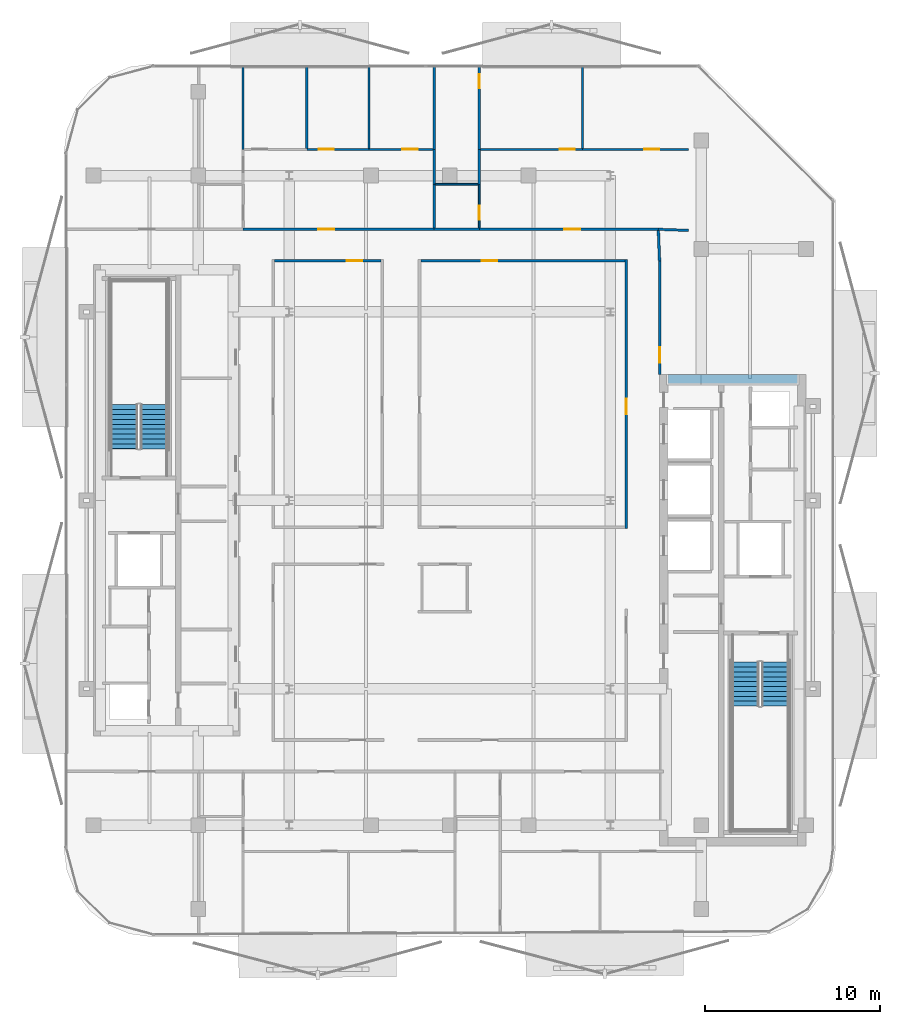
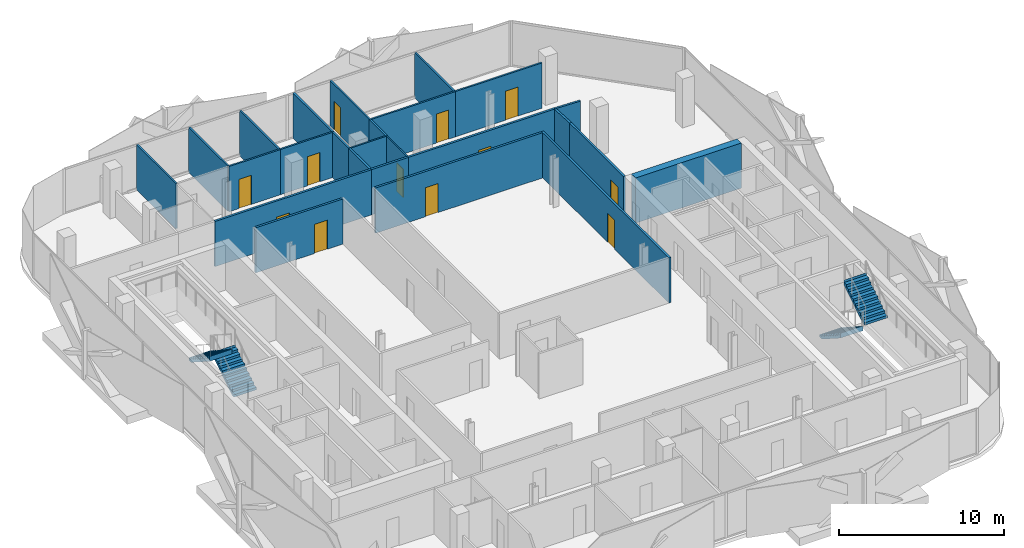
# One storey, part 6 of 16: 25 walls, 12 doors, 4 stair flights, 12 openings, 2 elements without a shape of their own.
"""IFC4 building model written with IfcOpenShell, lengths in metres."""

import ifcopenshell
import ifcopenshell.guid

model = None  # the IFC model being written
_history = None  # IfcOwnerHistory: only IFC2X3 demands one
_inside = {}  # id of a spatial element -> (the spatial element, [elements in it])
_under = {}  # id of a project, library or spatial element -> (it, [spatial elements below it])
_declared = {}  # id of a project -> (the project, [libraries it declares])
_typed = {}  # id of a type object -> (the type object, [elements of that type])
_made_of = {}  # id of a material, layer set ... -> (it, [elements and type objects made of it])


def new_model(schema):
    """Start an empty IFC model of exactly this schema.

    Asked for "IFC4X3", IfcOpenShell would pick the latest addendum, in which some entities
    have other attributes; the version numbers below select the first issue.
    IFC2X3 requires an IfcOwnerHistory on every rooted entity: one is made here for all.
    """
    global model, _history
    if schema == "IFC4X3":
        model = ifcopenshell.file(schema_version=(4, 3, 0, 0))
    else:
        model = ifcopenshell.file(schema=schema)
    _inside.clear()
    _under.clear()
    _declared.clear()
    _typed.clear()
    _made_of.clear()
    _history = None
    if model.schema == "IFC2X3":
        org = make("IfcOrganization", Name="unknown")
        user = make(
            "IfcPersonAndOrganization",
            ThePerson=make("IfcPerson", FamilyName="unknown"),
            TheOrganization=org,
        )
        app = make(
            "IfcApplication",
            ApplicationDeveloper=org,
            Version="unknown",
            ApplicationFullName="unknown",
            ApplicationIdentifier="unknown",
        )
        _history = make(
            "IfcOwnerHistory",
            OwningUser=user,
            OwningApplication=app,
            ChangeAction="ADDED",
            CreationDate=0,
        )
    return model


def make(cls, **values):
    """One entity of the class cls with the attributes given. An attribute that is None is left unset."""
    return model.create_entity(
        cls, **{name: value for name, value in values.items() if value is not None}
    )


def rooted(cls, **values):
    """An entity with a GlobalId (a new one), such as an element, a storey or a relation."""
    return make(cls, GlobalId=ifcopenshell.guid.new(), OwnerHistory=_history, **values)


def si_unit(unit_type, name, prefix=None):
    """IfcSIUnit, for example si_unit("LENGTHUNIT", "METRE", prefix="MILLI")."""
    return make("IfcSIUnit", UnitType=unit_type, Prefix=prefix, Name=name)


def assignment(units):
    """IfcUnitAssignment: the units of a project."""
    return None if units is None else make("IfcUnitAssignment", Units=units)


def point(xyz):
    """IfcCartesianPoint."""
    return None if xyz is None else make("IfcCartesianPoint", Coordinates=xyz)


def direction(xyz):
    """IfcDirection."""
    return None if xyz is None else make("IfcDirection", DirectionRatios=xyz)


def frame(location, z_axis=None, x_axis=None):
    """IfcAxis2Placement3D, a coordinate frame: its origin and axes. An axis left out is left unset."""
    return make(
        "IfcAxis2Placement3D",
        Location=point(location),
        Axis=direction(z_axis),
        RefDirection=direction(x_axis),
    )


def frame_2d(location, x_axis=None):
    """IfcAxis2Placement2D, a coordinate frame in the plane: its origin and x axis."""
    return make(
        "IfcAxis2Placement2D", Location=point(location), RefDirection=direction(x_axis)
    )


def origin():
    """The frame at (0, 0, 0) with its axes left unset."""
    return frame((0.0, 0.0, 0.0))


def place(relative_to, where):
    """IfcLocalPlacement: puts the frame where relative to a parent placement (None: the world)."""
    return make(
        "IfcLocalPlacement", PlacementRelTo=relative_to, RelativePlacement=where
    )


def context(
    kind, dimensions, precision=None, world=None, true_north=None, identifier=None
):
    """IfcGeometricRepresentationContext, for example the 3D "Model" context."""
    return make(
        "IfcGeometricRepresentationContext",
        ContextIdentifier=identifier,
        ContextType=kind,
        CoordinateSpaceDimension=dimensions,
        Precision=precision,
        WorldCoordinateSystem=world,
        TrueNorth=true_north,
    )


def subcontext(parent, identifier, kind, view, scale=None):
    """IfcGeometricRepresentationSubContext, for example "Body" below "Model"."""
    return make(
        "IfcGeometricRepresentationSubContext",
        ContextIdentifier=identifier,
        ContextType=kind,
        ParentContext=parent,
        TargetScale=scale,
        TargetView=view,
    )


def project(units=None, contexts=None):
    """IfcProject with its units and contexts."""
    return rooted(
        "IfcProject",
        Name="project",
        RepresentationContexts=contexts,
        UnitsInContext=assignment(units),
    )


def spatial(cls, under=None, at=None, **own):
    """A site, building, storey or space (cls), placed at a placement, below another one or the project."""
    s = rooted(cls, ObjectPlacement=at, **own)
    if under is not None:
        _under.setdefault(under.id(), (under, []))[1].append(s)
    return s


def polyline(points):
    """IfcPolyline through the points."""
    return make("IfcPolyline", Points=[point(p) for p in points])


def profile(cls, at=None, kind="AREA", **sizes):
    """A parametric profile (cls). Its sizes go by their IFC names, for example OverallWidth=200.0."""
    return make(cls, ProfileType=kind, Position=at, **sizes)


def rectangle(**sizes):
    """IfcRectangleProfileDef."""
    return profile("IfcRectangleProfileDef", **sizes)


def outline(outer, holes=None, kind="AREA"):
    """IfcArbitraryClosedProfileDef: a profile drawn as a closed curve; with holes, ...WithVoids."""
    if holes is None:
        return make("IfcArbitraryClosedProfileDef", ProfileType=kind, OuterCurve=outer)
    return make(
        "IfcArbitraryProfileDefWithVoids",
        ProfileType=kind,
        OuterCurve=outer,
        InnerCurves=holes,
    )


def extrude(swept, where, along, depth):
    """IfcExtrudedAreaSolid: the profile swept, set in the frame where, extruded along a direction by depth."""
    return make(
        "IfcExtrudedAreaSolid",
        SweptArea=swept,
        Position=where,
        ExtrudedDirection=direction(along),
        Depth=depth,
    )


def shape(context_of_items, identifier, shape_type, items):
    """IfcShapeRepresentation: the items that make up one representation, for example the "Body"."""
    return make(
        "IfcShapeRepresentation",
        ContextOfItems=context_of_items,
        RepresentationIdentifier=identifier,
        RepresentationType=shape_type,
        Items=items,
    )


def material(Name=None, Category=None):
    """IfcMaterial."""
    return make("IfcMaterial", Name=Name, Category=Category)


def layer(
    of_material, thickness, ventilated=None, Name=None, Category=None, Priority=None
):
    """IfcMaterialLayer: one layer of a wall or slab, of a material (None: an air gap)."""
    return make(
        "IfcMaterialLayer",
        Material=of_material,
        LayerThickness=thickness,
        IsVentilated=ventilated,
        Name=Name,
        Category=Category,
        Priority=Priority,
    )


def layer_set(layers, Name=None):
    """IfcMaterialLayerSet."""
    return make("IfcMaterialLayerSet", MaterialLayers=layers, LayerSetName=Name)


def made_of(thing, what):
    """Note that an element or type object is made of a material, layer set ...; save() writes the relation."""
    if what is not None:
        _made_of.setdefault(what.id(), (what, []))[1].append(thing)
    return thing


def type_object(cls, material=None, **own):
    """A type object (cls), such as IfcWallType, which elements share."""
    return made_of(rooted(cls, **own), material)


def element(
    cls,
    number,
    at=None,
    inside=None,
    cuts=None,
    type_object=None,
    material=None,
    context=None,
    identifier="Body",
    shape_type=None,
    held_by="IfcProductDefinitionShape",
    body=None,
    shapes=None,
    **own,
):
    """One element of the class cls, such as IfcWall. Its Tag is "e" and its number.

    at: its placement. inside: the storey or other place that contains it. cuts: it is an
    opening in that element (IfcRelVoidsElement). A single representation is given by context,
    identifier, shape_type and body (its items); several are given by shapes. held_by: the class
    of the entity that holds the representations. save() writes the other relations.
    """
    e = rooted(cls, Tag="e%d" % number, ObjectPlacement=at, **own)
    if body is not None:
        shapes = [shape(context, identifier, shape_type, body)]
    if shapes is not None:
        e.Representation = make(held_by, Representations=shapes)
    if inside is not None:
        _inside.setdefault(inside.id(), (inside, []))[1].append(e)
    if cuts is not None:
        rooted(
            "IfcRelVoidsElement", RelatingBuildingElement=cuts, RelatedOpeningElement=e
        )
    if type_object is not None:
        _typed.setdefault(type_object.id(), (type_object, []))[1].append(e)
    return made_of(e, material)


def fill(opening, filler):
    """IfcRelFillsElement: the door or window that sits in an opening."""
    return rooted(
        "IfcRelFillsElement",
        RelatingOpeningElement=opening,
        RelatedBuildingElement=filler,
    )


def aggregate(whole, parts):
    """IfcRelAggregates: a whole, such as a stair, and the parts it consists of."""
    return rooted("IfcRelAggregates", RelatingObject=whole, RelatedObjects=parts)


def save(model, path):
    """Write the relations noted so far, then the file.

    IfcRelAggregates (storeys below a building ...), IfcRelContainedInSpatialStructure (elements
    in a storey), IfcRelDefinesByType, IfcRelAssociatesMaterial and IfcRelDeclares: one each for
    every whole, place, type object, material and project.
    """
    for whole, parts in _under.values():
        aggregate(whole, parts)
    for where, things in _inside.values():
        rooted(
            "IfcRelContainedInSpatialStructure",
            RelatedElements=things,
            RelatingStructure=where,
        )
    for kind, things in _typed.values():
        rooted("IfcRelDefinesByType", RelatedObjects=things, RelatingType=kind)
    for what, things in _made_of.values():
        rooted("IfcRelAssociatesMaterial", RelatedObjects=things, RelatingMaterial=what)
    for by, libraries in _declared.values():
        rooted("IfcRelDeclares", RelatingContext=by, RelatedDefinitions=libraries)
    model.write(path)


model = new_model("IFC4")

# Units and contexts
model_context = context("Model", 3, precision=1e-05, world=origin(), true_north=direction((0.0, 1.0)))
body_context = subcontext(model_context, "Body", "Model", "MODEL_VIEW")
ifc_project = project(units=[si_unit("LENGTHUNIT", "METRE"), si_unit("AREAUNIT", "SQUARE_METRE"), si_unit("VOLUMEUNIT", "CUBIC_METRE"), si_unit("PLANEANGLEUNIT", "RADIAN"), si_unit("MASSUNIT", "GRAM", prefix="KILO")], contexts=[model_context])

# Site, building, storey
site_placement = place(None, origin())
site = spatial("IfcSite", under=ifc_project, at=site_placement, CompositionType="ELEMENT")
building_placement = place(site_placement, origin())
building = spatial("IfcBuilding", under=site, at=building_placement, Name="Khairoan Windgate Tower", CompositionType="ELEMENT")
storey_placement = place(building_placement, frame((0.0, 0.0, 258.39990234375)))
storey = spatial("IfcBuildingStorey", under=building, at=storey_placement, Name="L61", CompositionType="ELEMENT", Elevation=258.39990234375)

# Wall
ifc_material_1 = material(Name="Moisture-Resistant Gypsum Partition", Category="gypsum")
ifc_layer_1 = layer(ifc_material_1, 0.10009765625, Name="Moisture-Resistant Gypsum Partition")
ifc_layer_set_1 = layer_set([ifc_layer_1], Name="Moisture-Resistant Gypsum Partition")
wall_type_1 = type_object("IfcWallType", Name="Bathroom Wet-Area Partition Wall", PredefinedType="PARTITIONING", material=ifc_layer_set_1)
wall_1_placement = place(storey_placement, frame((-0.830078125, 18.10009765625, 0.0), z_axis=(0.0, 0.0, 1.0), x_axis=(1.0, 0.0, 0.0)))
element("IfcWall", 1, at=wall_1_placement, inside=storey, type_object=wall_type_1, Name="L61 Interior Partition 053", PredefinedType="PARTITIONING", context=body_context, shape_type="SweptSolid", body=[
    extrude(rectangle(XDim=2.469970703125, YDim=0.10009765625, at=frame_2d((1.23486328125, 0.0))), origin(), (0.0, 0.0, 1.0), 3.340087890625),
])

# Wall, opening, door
wall_2_placement = place(storey_placement, frame((1.68994140625, 15.60009765625, 0.0), z_axis=(0.0, 0.0, 1.0), x_axis=(0.0, 1.0, 0.0)))
wall_2 = element("IfcWall", 2, at=wall_2_placement, inside=storey, type_object=wall_type_1, Name="L61 Interior Partition 054", PredefinedType="PARTITIONING", context=body_context, shape_type="SweptSolid", body=[
    extrude(rectangle(XDim=2.5, YDim=0.10009765625, at=frame_2d((1.25, 0.0))), origin(), (0.0, 0.0, 1.0), 3.340087890625),
])
opening_1_placement = place(wall_2_placement, frame((0.4599609375, 0.0, 0.0)))
opening_1 = element("IfcOpeningElement", 3, at=opening_1_placement, cuts=wall_2, Name="Opening ID-BTH", PredefinedType="OPENING", context=body_context, shape_type="SweptSolid", body=[
    extrude(rectangle(XDim=0.800048828125, YDim=2.10009765625, at=frame_2d((0.39990234375, 1.050048828125))), frame((0.0, 0.06005859375, 0.0), z_axis=(0.0, -1.0, 0.0), x_axis=(1.0, 0.0, 0.0)), (0.0, 0.0, 1.0), 0.1201171875),
])
ifc_material_2 = material(Name="Teak Veneer Timber Leaf", Category="wood")
door_type_1 = type_object("IfcDoorType", Name="Internal Bathroom Door ID-BTH 800x2100", OperationType="NOTDEFINED", PredefinedType="DOOR", material=ifc_material_2)
door_1_placement = place(opening_1_placement, origin())
door_1 = element("IfcDoor", 4, at=door_1_placement, inside=storey, type_object=door_type_1, Name="L61 L61-39-L61-41 Door", OperationType="SINGLE_SWING_LEFT", OverallHeight=2.10009765625, OverallWidth=0.800048828125, PredefinedType="DOOR", context=body_context, shape_type="SweptSolid", body=[
    extrude(rectangle(XDim=0.800048828125, YDim=2.10009765625, at=frame_2d((0.39990234375, 1.050048828125))), frame((0.0, 0.02490234375, 0.0), z_axis=(0.0, -1.0, 0.0), x_axis=(1.0, 0.0, 0.0)), (0.0, 0.0, 1.0), 0.050048828125),
])
fill(opening_1, door_1)

# Walls
ifc_material_3 = material(Name="Acoustic Fire-Rated Gypsum Partition", Category="gypsum")
ifc_layer_2 = layer(ifc_material_3, 0.139892578125, Name="Acoustic Fire-Rated Gypsum Partition")
ifc_layer_set_2 = layer_set([ifc_layer_2], Name="Acoustic Fire-Rated Gypsum Partition")
wall_type_2 = type_object("IfcWallType", Name="Inter-Tenancy Compartment Wall", PredefinedType="PARTITIONING", material=ifc_layer_set_2)
wall_3_placement = place(storey_placement, frame((-0.89990234375, 15.60009765625, 0.0), z_axis=(0.0, 0.0, 1.0), x_axis=(0.0, 1.0, 0.0)))
element("IfcWall", 5, at=wall_3_placement, inside=storey, type_object=wall_type_2, Name="L61 Interior Partition 048", PredefinedType="PARTITIONING", context=body_context, shape_type="SweptSolid", body=[
    extrude(rectangle(XDim=2.5, YDim=0.139892578125, at=frame_2d((1.25, 0.0))), origin(), (0.0, 0.0, 1.0), 3.340087890625),
])
wall_4_placement = place(storey_placement, frame((-0.89990234375, 18.10009765625, 0.0), z_axis=(0.0, 0.0, 1.0), x_axis=(0.0, 1.0, 0.0)))
element("IfcWall", 6, at=wall_4_placement, inside=storey, type_object=wall_type_2, Name="L61 Interior Partition 049", PredefinedType="PARTITIONING", context=body_context, shape_type="SweptSolid", body=[
    extrude(rectangle(XDim=2.0, YDim=0.139892578125, at=frame_2d((1.0, 0.0))), origin(), (0.0, 0.0, 1.0), 3.340087890625),
])
wall_5_placement = place(storey_placement, frame((-0.89990234375, 20.10009765625, 0.0), z_axis=(0.0, 0.0, 1.0), x_axis=(0.0, 1.0, 0.0)))
element("IfcWall", 7, at=wall_5_placement, inside=storey, type_object=wall_type_2, Name="L61 Interior Partition 052", PredefinedType="PARTITIONING", context=body_context, shape_type="SweptSolid", body=[
    extrude(rectangle(XDim=4.7548828125, YDim=0.139892578125, at=frame_2d((2.37744140625, 0.0))), origin(), (0.0, 0.0, 1.0), 3.340087890625),
])
wall_6_placement = place(storey_placement, frame((11.93994140625, 15.52490234375, 0.0), z_axis=(0.0, 0.0, 1.0), x_axis=(0.999304229002, -0.037296888581, 0.0)))
element("IfcWall", 8, at=wall_6_placement, inside=storey, type_object=wall_type_2, Name="L61 Interior Partition 059", PredefinedType="PARTITIONING", context=body_context, shape_type="SweptSolid", body=[
    extrude(rectangle(XDim=1.7412109375, YDim=0.139892578125, at=frame_2d((0.87060546875, 0.0))), origin(), (0.0, 0.0, 1.0), 3.340087890625),
])
ifc_material_4 = material(Name="Gypsum Stud Partition", Category="gypsum")
ifc_layer_3 = layer(ifc_material_4, 0.1201171875, Name="Gypsum Stud Partition")
ifc_layer_set_3 = layer_set([ifc_layer_3], Name="Gypsum Stud Partition")
wall_type_3 = type_object("IfcWallType", Name="Internal Room Partition Wall", PredefinedType="PARTITIONING", material=ifc_layer_set_3)
wall_7_placement = place(storey_placement, frame((-11.830078125, 20.10009765625, 0.0), z_axis=(0.0, 0.0, 1.0), x_axis=(0.0, 1.0, 0.0)))
element("IfcWall", 9, at=wall_7_placement, inside=storey, type_object=wall_type_3, Name="L61 Interior Partition 043", PredefinedType="PARTITIONING", context=body_context, shape_type="SweptSolid", body=[
    extrude(rectangle(XDim=4.7548828125, YDim=0.1201171875, at=frame_2d((2.37744140625, 0.0))), origin(), (0.0, 0.0, 1.0), 3.340087890625),
])

# Wall, opening, door
wall_8_placement = place(storey_placement, frame((-8.18701171875, 20.10009765625, 0.0), z_axis=(0.0, 0.0, 1.0), x_axis=(1.0, 0.0, 0.0)))
wall_8 = element("IfcWall", 10, at=wall_8_placement, inside=storey, type_object=wall_type_3, Name="L61 Interior Partition 046", PredefinedType="PARTITIONING", context=body_context, shape_type="SweptSolid", body=[
    extrude(rectangle(XDim=3.56396484375, YDim=0.1201171875, at=frame_2d((1.781982421875, 0.0))), origin(), (0.0, 0.0, 1.0), 3.340087890625),
])
opening_2_placement = place(wall_8_placement, frame((0.68310546875, 0.0, 0.0)))
opening_2 = element("IfcOpeningElement", 11, at=opening_2_placement, cuts=wall_8, Name="Opening ID-RM", PredefinedType="OPENING", context=body_context, shape_type="SweptSolid", body=[
    extrude(rectangle(XDim=0.860107421875, YDim=2.14990234375, at=frame_2d((0.43017578125, 1.074951171875))), frame((0.0, 0.070068359375, 0.0), z_axis=(0.0, -1.0, 0.0), x_axis=(1.0, 0.0, 0.0)), (0.0, 0.0, 1.0), 0.14013671875),
])
ifc_material_5 = material(Name="Teak Veneer Timber Leaf", Category="wood")
door_type_2 = type_object("IfcDoorType", Name="Internal Bedroom and Office Door ID-RM 860x2150", OperationType="NOTDEFINED", PredefinedType="DOOR", material=ifc_material_5)
door_2_placement = place(opening_2_placement, origin())
door_2 = element("IfcDoor", 12, at=door_2_placement, inside=storey, type_object=door_type_2, Name="L61 L61-35-L61-37 Door", OperationType="SINGLE_SWING_LEFT", OverallHeight=2.14990234375, OverallWidth=0.860107421875, PredefinedType="DOOR", context=body_context, shape_type="SweptSolid", body=[
    extrude(rectangle(XDim=0.860107421875, YDim=2.14990234375, at=frame_2d((0.43017578125, 1.074951171875))), frame((0.0, 0.02490234375, 0.0), z_axis=(0.0, -1.0, 0.0), x_axis=(1.0, 0.0, 0.0)), (0.0, 0.0, 1.0), 0.050048828125),
])
fill(opening_2, door_2)

wall_9_placement = place(storey_placement, frame((-4.623046875, 20.10009765625, 0.0), z_axis=(0.0, 0.0, 1.0), x_axis=(1.0, 0.0, 0.0)))
wall_9 = element("IfcWall", 13, at=wall_9_placement, inside=storey, type_object=wall_type_3, Name="L61 Interior Partition 047", PredefinedType="PARTITIONING", context=body_context, shape_type="SweptSolid", body=[
    extrude(rectangle(XDim=3.653076171875, YDim=0.1201171875, at=frame_2d((1.82666015625, 0.0))), origin(), (0.0, 0.0, 1.0), 3.340087890625),
])
opening_3_placement = place(wall_9_placement, frame((1.916748046875, 0.0, 0.0)))
opening_3 = element("IfcOpeningElement", 14, at=opening_3_placement, cuts=wall_9, Name="Opening ID-RM", PredefinedType="OPENING", context=body_context, shape_type="SweptSolid", body=[
    extrude(rectangle(XDim=0.860107421875, YDim=2.14990234375, at=frame_2d((0.43017578125, 1.074951171875))), frame((0.0, 0.070068359375, 0.0), z_axis=(0.0, -1.0, 0.0), x_axis=(1.0, 0.0, 0.0)), (0.0, 0.0, 1.0), 0.14013671875),
])
door_3_placement = place(opening_3_placement, origin())
door_3 = element("IfcDoor", 15, at=door_3_placement, inside=storey, type_object=door_type_2, Name="L61 L61-35-L61-38 Door", OperationType="SINGLE_SWING_RIGHT", OverallHeight=2.14990234375, OverallWidth=0.860107421875, PredefinedType="DOOR", context=body_context, shape_type="SweptSolid", body=[
    extrude(rectangle(XDim=0.860107421875, YDim=2.14990234375, at=frame_2d((0.43017578125, 1.074951171875))), frame((0.0, 0.02490234375, 0.0), z_axis=(0.0, -1.0, 0.0), x_axis=(1.0, 0.0, 0.0)), (0.0, 0.0, 1.0), 0.050048828125),
])
fill(opening_3, door_3)

# Walls
for number, where, z_axis, x_axis, name in (
    (16, (-8.18701171875, 20.159912109375, 0.0), (0.0, 0.0, 1.0), (0.0, 1.0, 0.0), "L61 Interior Partition 050"),
    (17, (-4.623046875, 20.159912109375, 0.0), (0.0, 0.0, 1.0), (0.0, 1.0, 0.0), "L61 Interior Partition 051"),
):
    element("IfcWall", number, at=place(storey_placement, frame(where, z_axis=z_axis, x_axis=x_axis)), inside=storey, type_object=wall_type_3, Name=name, PredefinedType="PARTITIONING", context=body_context, shape_type="SweptSolid", body=[
        extrude(rectangle(XDim=4.695068359375, YDim=0.1201171875, at=frame_2d((2.34765625, 0.0))), origin(), (0.0, 0.0, 1.0), 3.340087890625),
    ])
wall_10_placement = place(storey_placement, frame((1.68994140625, 18.10009765625, 0.0), z_axis=(0.0, 0.0, 1.0), x_axis=(0.0, 1.0, 0.0)))
element("IfcWall", 18, at=wall_10_placement, inside=storey, type_object=wall_type_3, Name="L61 Interior Partition 055", PredefinedType="PARTITIONING", context=body_context, shape_type="SweptSolid", body=[
    extrude(rectangle(XDim=2.0, YDim=0.1201171875, at=frame_2d((1.0, 0.0))), origin(), (0.0, 0.0, 1.0), 3.340087890625),
])

# Wall, opening, door
wall_11_placement = place(storey_placement, frame((1.68994140625, 20.10009765625, 0.0), z_axis=(0.0, 0.0, 1.0), x_axis=(0.0, 1.0, 0.0)))
wall_11 = element("IfcWall", 19, at=wall_11_placement, inside=storey, type_object=wall_type_3, Name="L61 Interior Partition 056", PredefinedType="PARTITIONING", context=body_context, shape_type="SweptSolid", body=[
    extrude(rectangle(XDim=4.7548828125, YDim=0.1201171875, at=frame_2d((2.37744140625, 0.0))), origin(), (0.0, 0.0, 1.0), 3.340087890625),
])
opening_4_placement = place(wall_11_placement, frame((3.4951171875, 0.0, 0.0)))
opening_4 = element("IfcOpeningElement", 20, at=opening_4_placement, cuts=wall_11, Name="Opening ID-BTH", PredefinedType="OPENING", context=body_context, shape_type="SweptSolid", body=[
    extrude(rectangle(XDim=0.800048828125, YDim=2.10009765625, at=frame_2d((0.39990234375, 1.050048828125))), frame((0.0, 0.070068359375, 0.0), z_axis=(0.0, -1.0, 0.0), x_axis=(1.0, 0.0, 0.0)), (0.0, 0.0, 1.0), 0.14013671875),
])
door_4_placement = place(opening_4_placement, origin())
door_4 = element("IfcDoor", 21, at=door_4_placement, inside=storey, type_object=door_type_1, Name="L61 L61-40-L61-42 Door", OperationType="SINGLE_SWING_LEFT", OverallHeight=2.10009765625, OverallWidth=0.800048828125, PredefinedType="DOOR", context=body_context, shape_type="SweptSolid", body=[
    extrude(rectangle(XDim=0.800048828125, YDim=2.10009765625, at=frame_2d((0.39990234375, 1.050048828125))), frame((0.0, 0.02490234375, 0.0), z_axis=(0.0, -1.0, 0.0), x_axis=(1.0, 0.0, 0.0)), (0.0, 0.0, 1.0), 0.050048828125),
])
fill(opening_4, door_4)

wall_12_placement = place(storey_placement, frame((1.75, 20.10009765625, 0.0), z_axis=(0.0, 0.0, 1.0), x_axis=(1.0, 0.0, 0.0)))
wall_12 = element("IfcWall", 22, at=wall_12_placement, inside=storey, type_object=wall_type_3, Name="L61 Interior Partition 057", PredefinedType="PARTITIONING", context=body_context, shape_type="SweptSolid", body=[
    extrude(rectangle(XDim=5.85498046875, YDim=0.1201171875, at=frame_2d((2.927490234375, 0.0))), origin(), (0.0, 0.0, 1.0), 3.340087890625),
])
opening_5_placement = place(wall_12_placement, frame((4.534912109375, 0.0, 0.0)))
opening_5 = element("IfcOpeningElement", 23, at=opening_5_placement, cuts=wall_12, Name="Opening ID-RM", PredefinedType="OPENING", context=body_context, shape_type="SweptSolid", body=[
    extrude(rectangle(XDim=0.860107421875, YDim=2.14990234375, at=frame_2d((0.43017578125, 1.074951171875))), frame((0.0, 0.070068359375, 0.0), z_axis=(0.0, -1.0, 0.0), x_axis=(1.0, 0.0, 0.0)), (0.0, 0.0, 1.0), 0.14013671875),
])
door_5_placement = place(opening_5_placement, origin())
door_5 = element("IfcDoor", 24, at=door_5_placement, inside=storey, type_object=door_type_2, Name="L61 L61-41-L61-42 Door", OperationType="SINGLE_SWING_LEFT", OverallHeight=2.14990234375, OverallWidth=0.860107421875, PredefinedType="DOOR", context=body_context, shape_type="SweptSolid", body=[
    extrude(rectangle(XDim=0.860107421875, YDim=2.14990234375, at=frame_2d((0.43017578125, 1.074951171875))), frame((0.0, 0.02490234375, 0.0), z_axis=(0.0, -1.0, 0.0), x_axis=(1.0, 0.0, 0.0)), (0.0, 0.0, 1.0), 0.050048828125),
])
fill(opening_5, door_5)

wall_13_placement = place(storey_placement, frame((7.60498046875, 20.10009765625, 0.0), z_axis=(0.0, 0.0, 1.0), x_axis=(1.0, 0.0, 0.0)))
wall_13 = element("IfcWall", 25, at=wall_13_placement, inside=storey, type_object=wall_type_3, Name="L61 Interior Partition 058", PredefinedType="PARTITIONING", context=body_context, shape_type="SweptSolid", body=[
    extrude(rectangle(XDim=6.074951171875, YDim=0.1201171875, at=frame_2d((3.03759765625, 0.0))), origin(), (0.0, 0.0, 1.0), 3.340087890625),
])
opening_6_placement = place(wall_13_placement, frame((3.52783203125, 0.0, 0.0)))
opening_6 = element("IfcOpeningElement", 26, at=opening_6_placement, cuts=wall_13, Name="Opening ID-RM", PredefinedType="OPENING", context=body_context, shape_type="SweptSolid", body=[
    extrude(rectangle(XDim=0.860107421875, YDim=2.14990234375, at=frame_2d((0.43017578125, 1.074951171875))), frame((0.0, 0.070068359375, 0.0), z_axis=(0.0, -1.0, 0.0), x_axis=(1.0, 0.0, 0.0)), (0.0, 0.0, 1.0), 0.14013671875),
])
door_6_placement = place(opening_6_placement, origin())
door_6 = element("IfcDoor", 27, at=door_6_placement, inside=storey, type_object=door_type_2, Name="L61 L61-41-L61-43 Door", OperationType="SINGLE_SWING_RIGHT", OverallHeight=2.14990234375, OverallWidth=0.860107421875, PredefinedType="DOOR", context=body_context, shape_type="SweptSolid", body=[
    extrude(rectangle(XDim=0.860107421875, YDim=2.14990234375, at=frame_2d((0.43017578125, 1.074951171875))), frame((0.0, 0.02490234375, 0.0), z_axis=(0.0, -1.0, 0.0), x_axis=(1.0, 0.0, 0.0)), (0.0, 0.0, 1.0), 0.050048828125),
])
fill(opening_6, door_6)

# Wall
wall_14_placement = place(storey_placement, frame((7.60498046875, 20.159912109375, 0.0), z_axis=(0.0, 0.0, 1.0), x_axis=(0.0, 1.0, 0.0)))
element("IfcWall", 28, at=wall_14_placement, inside=storey, type_object=wall_type_3, Name="L61 Interior Partition 060", PredefinedType="PARTITIONING", context=body_context, shape_type="SweptSolid", body=[
    extrude(rectangle(XDim=4.695068359375, YDim=0.1201171875, at=frame_2d((2.34765625, 0.0))), origin(), (0.0, 0.0, 1.0), 3.340087890625),
])

# Wall, opening, door
ifc_material_6 = material(Name="Acoustic Fire-Rated Gypsum Partition", Category="gypsum")
ifc_layer_4 = layer(ifc_material_6, 0.14990234375, Name="Acoustic Fire-Rated Gypsum Partition")
ifc_layer_set_4 = layer_set([ifc_layer_4], Name="Acoustic Fire-Rated Gypsum Partition")
wall_type_4 = type_object("IfcWallType", Name="Rated Corridor Partition Wall", PredefinedType="PARTITIONING", material=ifc_layer_set_4)
wall_15_placement = place(storey_placement, frame((12.014892578125, 7.199951171875, 0.0), z_axis=(0.0, 0.0, 1.0), x_axis=(0.0, 1.0, 0.0)))
wall_15 = element("IfcWall", 29, at=wall_15_placement, inside=storey, type_object=wall_type_4, Name="L61 Interior Partition 015", PredefinedType="PARTITIONING", context=body_context, shape_type="SweptSolid", body=[
    extrude(rectangle(XDim=6.52001953125, YDim=0.14990234375, at=frame_2d((3.260009765625, 0.0))), origin(), (0.0, 0.0, 1.0), 3.340087890625),
])
opening_7_placement = place(wall_15_placement, frame((0.669921875, 0.0, 0.0)))
opening_7 = element("IfcOpeningElement", 30, at=opening_7_placement, cuts=wall_15, Name="Opening FD-ENT", PredefinedType="OPENING", context=body_context, shape_type="SweptSolid", body=[
    extrude(rectangle(XDim=0.89990234375, YDim=2.14990234375, at=frame_2d((0.449951171875, 1.074951171875))), frame((0.0, 0.0849609375, 0.0), z_axis=(0.0, -1.0, 0.0), x_axis=(1.0, 0.0, 0.0)), (0.0, 0.0, 1.0), 0.169921875),
])
ifc_material_7 = material(Name="Timber Fire-Rated Core", Category="wood")
door_type_3 = type_object("IfcDoorType", Name="Unit and Office Fire Entrance Door FD-ENT 900x2150", OperationType="NOTDEFINED", PredefinedType="DOOR", material=ifc_material_7)
door_7_placement = place(opening_7_placement, origin())
door_7 = element("IfcDoor", 31, at=door_7_placement, inside=storey, type_object=door_type_3, Name="L61 L61-28-L61-54 Door", OperationType="SINGLE_SWING_RIGHT", OverallHeight=2.14990234375, OverallWidth=0.89990234375, PredefinedType="DOOR", context=body_context, shape_type="SweptSolid", body=[
    extrude(rectangle(XDim=0.89990234375, YDim=2.14990234375, at=frame_2d((0.449951171875, 1.074951171875))), frame((0.0, 0.02490234375, 0.0), z_axis=(0.0, -1.0, 0.0), x_axis=(1.0, 0.0, 0.0)), (0.0, 0.0, 1.0), 0.050048828125),
])
fill(opening_7, door_7)

wall_16_placement = place(storey_placement, frame((10.10009765625, -1.610107421875, 0.0), z_axis=(0.0, 0.0, 1.0), x_axis=(0.0, 1.0, 0.0)))
wall_16 = element("IfcWall", 32, at=wall_16_placement, inside=storey, type_object=wall_type_4, Name="L61 Interior Partition 016", PredefinedType="PARTITIONING", context=body_context, shape_type="SweptSolid", body=[
    extrude(rectangle(XDim=15.405029296875, YDim=0.14990234375, at=frame_2d((7.70263671875, 0.0))), origin(), (0.0, 0.0, 1.0), 3.340087890625),
])
opening_8_placement = place(wall_16_placement, frame((6.542724609375, 0.0, 0.0)))
opening_8 = element("IfcOpeningElement", 33, at=opening_8_placement, cuts=wall_16, Name="Opening FD-ENT", PredefinedType="OPENING", context=body_context, shape_type="SweptSolid", body=[
    extrude(rectangle(XDim=0.89990234375, YDim=2.14990234375, at=frame_2d((0.449951171875, 1.074951171875))), frame((0.0, 0.0849609375, 0.0), z_axis=(0.0, -1.0, 0.0), x_axis=(1.0, 0.0, 0.0)), (0.0, 0.0, 1.0), 0.169921875),
])
door_8_placement = place(opening_8_placement, origin())
door_8 = element("IfcDoor", 34, at=door_8_placement, inside=storey, type_object=door_type_3, Name="L61 L61-28-L61-59 Door", OperationType="SINGLE_SWING_LEFT", OverallHeight=2.14990234375, OverallWidth=0.89990234375, PredefinedType="DOOR", context=body_context, shape_type="SweptSolid", body=[
    extrude(rectangle(XDim=0.89990234375, YDim=2.14990234375, at=frame_2d((0.449951171875, 1.074951171875))), frame((0.0, 0.02490234375, 0.0), z_axis=(0.0, -1.0, 0.0), x_axis=(1.0, 0.0, 0.0)), (0.0, 0.0, 1.0), 0.050048828125),
])
fill(opening_8, door_8)

wall_17_placement = place(storey_placement, frame((-11.830078125, 15.52490234375, 0.0), z_axis=(0.0, 0.0, 1.0), x_axis=(1.0, 0.0, 0.0)))
wall_17 = element("IfcWall", 35, at=wall_17_placement, inside=storey, type_object=wall_type_4, Name="L61 Interior Partition 025", PredefinedType="PARTITIONING", context=body_context, shape_type="SweptSolid", body=[
    extrude(rectangle(XDim=10.93017578125, YDim=0.14990234375, at=frame_2d((5.465087890625, 0.0))), origin(), (0.0, 0.0, 1.0), 3.340087890625),
])
opening_9_placement = place(wall_17_placement, frame((4.306396484375, 0.0, 0.0)))
opening_9 = element("IfcOpeningElement", 36, at=opening_9_placement, cuts=wall_17, Name="Opening FD-ENT", PredefinedType="OPENING", context=body_context, shape_type="SweptSolid", body=[
    extrude(rectangle(XDim=0.89990234375, YDim=2.14990234375, at=frame_2d((0.449951171875, 1.074951171875))), frame((0.0, 0.0849609375, 0.0), z_axis=(0.0, -1.0, 0.0), x_axis=(1.0, 0.0, 0.0)), (0.0, 0.0, 1.0), 0.169921875),
])
door_9_placement = place(opening_9_placement, origin())
door_9 = element("IfcDoor", 37, at=door_9_placement, inside=storey, type_object=door_type_3, Name="L61 L61-31-L61-35 Door", OperationType="SINGLE_SWING_LEFT", OverallHeight=2.14990234375, OverallWidth=0.89990234375, PredefinedType="DOOR", context=body_context, shape_type="SweptSolid", body=[
    extrude(rectangle(XDim=0.89990234375, YDim=2.14990234375, at=frame_2d((0.449951171875, 1.074951171875))), frame((0.0, 0.02490234375, 0.0), z_axis=(0.0, -1.0, 0.0), x_axis=(1.0, 0.0, 0.0)), (0.0, 0.0, 1.0), 0.050048828125),
])
fill(opening_9, door_9)

# Wall
wall_18_placement = place(storey_placement, frame((-0.89990234375, 15.52490234375, 0.0), z_axis=(0.0, 0.0, 1.0), x_axis=(1.0, 0.0, 0.0)))
element("IfcWall", 38, at=wall_18_placement, inside=storey, type_object=wall_type_4, Name="L61 Interior Partition 026", PredefinedType="PARTITIONING", context=body_context, shape_type="SweptSolid", body=[
    extrude(rectangle(XDim=2.58984375, YDim=0.14990234375, at=frame_2d((1.294921875, 0.0))), origin(), (0.0, 0.0, 1.0), 3.340087890625),
])

# Wall, opening, door
wall_19_placement = place(storey_placement, frame((1.68994140625, 15.52490234375, 0.0), z_axis=(0.0, 0.0, 1.0), x_axis=(1.0, 0.0, 0.0)))
wall_19 = element("IfcWall", 39, at=wall_19_placement, inside=storey, type_object=wall_type_4, Name="L61 Interior Partition 027", PredefinedType="PARTITIONING", context=body_context, shape_type="SweptSolid", body=[
    extrude(rectangle(XDim=10.25, YDim=0.14990234375, at=frame_2d((5.125, 0.0))), origin(), (0.0, 0.0, 1.0), 3.340087890625),
])
opening_10_placement = place(wall_19_placement, frame((4.875732421875, 0.0, 0.0)))
opening_10 = element("IfcOpeningElement", 40, at=opening_10_placement, cuts=wall_19, Name="Opening FD-ENT", PredefinedType="OPENING", context=body_context, shape_type="SweptSolid", body=[
    extrude(rectangle(XDim=0.89990234375, YDim=2.14990234375, at=frame_2d((0.449951171875, 1.074951171875))), frame((0.0, 0.0849609375, 0.0), z_axis=(0.0, -1.0, 0.0), x_axis=(1.0, 0.0, 0.0)), (0.0, 0.0, 1.0), 0.169921875),
])
door_10_placement = place(opening_10_placement, origin())
door_10 = element("IfcDoor", 41, at=door_10_placement, inside=storey, type_object=door_type_3, Name="L61 L61-31-L61-41 Door", OperationType="SINGLE_SWING_RIGHT", OverallHeight=2.14990234375, OverallWidth=0.89990234375, PredefinedType="DOOR", context=body_context, shape_type="SweptSolid", body=[
    extrude(rectangle(XDim=0.89990234375, YDim=2.14990234375, at=frame_2d((0.449951171875, 1.074951171875))), frame((0.0, 0.02490234375, 0.0), z_axis=(0.0, -1.0, 0.0), x_axis=(1.0, 0.0, 0.0)), (0.0, 0.0, 1.0), 0.050048828125),
])
fill(opening_10, door_10)

# Wall
wall_20_placement = place(storey_placement, frame((12.014892578125, 13.719970703125, 0.0), z_axis=(0.0, 0.0, 1.0), x_axis=(-0.040046877756, 0.99919780203, 0.0)))
element("IfcWall", 42, at=wall_20_placement, inside=storey, type_object=wall_type_4, Name="L61 Interior Partition 028", PredefinedType="PARTITIONING", context=body_context, shape_type="SweptSolid", body=[
    extrude(rectangle(XDim=1.7314453125, YDim=0.14990234375, at=frame_2d((0.86572265625, 0.0))), origin(), (0.0, 0.0, 1.0), 3.340087890625),
])

# Wall, opening, door
wall_21_placement = place(storey_placement, frame((-10.02490234375, 13.719970703125, 0.0), z_axis=(0.0, 0.0, 1.0), x_axis=(1.0, 0.0, 0.0)))
wall_21 = element("IfcWall", 43, at=wall_21_placement, inside=storey, type_object=wall_type_4, Name="L61 Interior Partition 030", PredefinedType="PARTITIONING", context=body_context, shape_type="SweptSolid", body=[
    extrude(rectangle(XDim=6.0849609375, YDim=0.14990234375, at=frame_2d((3.04248046875, 0.0))), origin(), (0.0, 0.0, 1.0), 3.340087890625),
])
opening_11_placement = place(wall_21_placement, frame((4.11572265625, 0.0, 0.0)))
opening_11 = element("IfcOpeningElement", 44, at=opening_11_placement, cuts=wall_21, Name="Opening FD-ENT", PredefinedType="OPENING", context=body_context, shape_type="SweptSolid", body=[
    extrude(rectangle(XDim=0.89990234375, YDim=2.14990234375, at=frame_2d((0.449951171875, 1.074951171875))), frame((0.0, 0.0849609375, 0.0), z_axis=(0.0, -1.0, 0.0), x_axis=(1.0, 0.0, 0.0)), (0.0, 0.0, 1.0), 0.169921875),
])
door_11_placement = place(opening_11_placement, origin())
door_11 = element("IfcDoor", 45, at=door_11_placement, inside=storey, type_object=door_type_3, Name="L61 L61-31-L61-57 Door", OperationType="SINGLE_SWING_LEFT", OverallHeight=2.14990234375, OverallWidth=0.89990234375, PredefinedType="DOOR", context=body_context, shape_type="SweptSolid", body=[
    extrude(rectangle(XDim=0.89990234375, YDim=2.14990234375, at=frame_2d((0.449951171875, 1.074951171875))), frame((0.0, 0.02490234375, 0.0), z_axis=(0.0, -1.0, 0.0), x_axis=(1.0, 0.0, 0.0)), (0.0, 0.0, 1.0), 0.050048828125),
])
fill(opening_11, door_11)

wall_22_placement = place(storey_placement, frame((-1.659912109375, 13.719970703125, 0.0), z_axis=(0.0, 0.0, 1.0), x_axis=(1.0, 0.0, 0.0)))
wall_22 = element("IfcWall", 46, at=wall_22_placement, inside=storey, type_object=wall_type_4, Name="L61 Interior Partition 031", PredefinedType="PARTITIONING", context=body_context, shape_type="SweptSolid", body=[
    extrude(rectangle(XDim=11.684814453125, YDim=0.14990234375, at=frame_2d((5.84228515625, 0.0))), origin(), (0.0, 0.0, 1.0), 3.340087890625),
])
opening_12_placement = place(wall_22_placement, frame((3.47998046875, 0.0, 0.0)))
opening_12 = element("IfcOpeningElement", 47, at=opening_12_placement, cuts=wall_22, Name="Opening FD-ENT", PredefinedType="OPENING", context=body_context, shape_type="SweptSolid", body=[
    extrude(rectangle(XDim=0.89990234375, YDim=2.14990234375, at=frame_2d((0.449951171875, 1.074951171875))), frame((0.0, 0.0849609375, 0.0), z_axis=(0.0, -1.0, 0.0), x_axis=(1.0, 0.0, 0.0)), (0.0, 0.0, 1.0), 0.169921875),
])
door_12_placement = place(opening_12_placement, origin())
door_12 = element("IfcDoor", 48, at=door_12_placement, inside=storey, type_object=door_type_3, Name="L61 L61-31-L61-59 Door", OperationType="SINGLE_SWING_RIGHT", OverallHeight=2.14990234375, OverallWidth=0.89990234375, PredefinedType="DOOR", context=body_context, shape_type="SweptSolid", body=[
    extrude(rectangle(XDim=0.89990234375, YDim=2.14990234375, at=frame_2d((0.449951171875, 1.074951171875))), frame((0.0, 0.02490234375, 0.0), z_axis=(0.0, -1.0, 0.0), x_axis=(1.0, 0.0, 0.0)), (0.0, 0.0, 1.0), 0.050048828125),
])
fill(opening_12, door_12)

# Wall
ifc_material_8 = material(Name="Concrete C50/60", Category="concrete")
ifc_layer_5 = layer(ifc_material_8, 0.5, Name="Concrete C50/60")
ifc_layer_set_5 = layer_set([ifc_layer_5], Name="Concrete C50/60")
wall_type_5 = type_object("IfcWallType", Name="Shear Wall CW-E3 500mm", PredefinedType="SHEAR", material=ifc_layer_set_5)
wall_23_placement = place(storey_placement, frame((12.5, 6.949951171875, 0.0), z_axis=(0.0, 0.0, 1.0), x_axis=(1.0, 0.0, 0.0)))
element("IfcWall", 49, at=wall_23_placement, inside=storey, type_object=wall_type_5, Name="E Core North Shear Wall L61", PredefinedType="SHEAR", context=body_context, shape_type="SweptSolid", body=[
    extrude(rectangle(XDim=7.39990234375, YDim=0.5, at=frame_2d((3.699951171875, 0.0))), origin(), (0.0, 0.0, 1.0), 3.340087890625),
])

# Stair, stair flights
ifc_material_9 = material(Name="Concrete C40/50", Category="concrete")
stair_type = type_object("IfcStairType", Name="Tower Core Dog-Leg Stair ST-T1 1560mm", PredefinedType="HALF_TURN_STAIR", material=ifc_material_9)
stair_1_placement = place(storey_placement, origin())
stair_1 = element("IfcStair", 50, at=stair_1_placement, inside=storey, type_object=stair_type, Name="L61 Stair ST1", PredefinedType="HALF_TURN_STAIR")
ifc_material_10 = material(Name="Concrete C40/50", Category="concrete")
ifc_layer_6 = layer(ifc_material_10, 0.14990234375, Name="Concrete C40/50")
ifc_layer_set_6 = layer_set([ifc_layer_6], Name="Concrete C40/50")
stair_flight_type = type_object("IfcStairFlightType", Name="Tower Core Stair Flight STF-1560", PredefinedType="STRAIGHT", material=ifc_layer_set_6)
stair_flight_1_placement = place(storey_placement, frame((16.929931640625, -9.260009765625, 0.0), z_axis=(0.0, 0.0, 1.0), x_axis=(0.0, -1.0, 0.0)))
stair_flight_1 = element("IfcStairFlight", 51, at=stair_flight_1_placement, type_object=stair_flight_type, Name="ST1 flight 1", NumberOfRisers=10, NumberOfTreads=9, PredefinedType="STRAIGHT", RiserHeight=0.18, TreadLength=0.28, context=body_context, shape_type="SweptSolid", body=[
    extrude(outline(polyline([(-0.00390625, 0.0), (-0.00390625, 0.179931640625), (0.0, 0.179931640625), (0.280029296875, 0.179931640625), (0.280029296875, 0.360107421875), (0.56005859375, 0.360107421875), (0.56005859375, 0.5400390625), (0.840087890625, 0.5400390625), (0.840087890625, 0.719970703125), (1.1201171875, 0.719970703125), (1.1201171875, 0.89990234375), (1.39990234375, 0.89990234375), (1.39990234375, 1.080078125), (1.679931640625, 1.080078125), (1.679931640625, 1.260009765625), (1.9599609375, 1.260009765625), (1.9599609375, 1.43994140625), (2.239990234375, 1.43994140625), (2.239990234375, 1.6201171875), (2.52001953125, 1.6201171875), (2.52001953125, 1.800048828125), (2.52392578125, 1.800048828125), (2.52392578125, 1.44189453125), (0.277099609375, 0.0), (-0.00390625, 0.0)])), frame((0.0, 0.780029296875, 0.0), z_axis=(0.0, -1.0, 0.0), x_axis=(1.0, 0.0, 0.0)), (0.0, 0.0, 1.0), 1.56005859375),
])
stair_flight_2_placement = place(storey_placement, frame((18.639892578125, -11.780029296875, 1.800048828125), z_axis=(0.0, 0.0, 1.0), x_axis=(0.0, 1.0, 0.0)))
stair_flight_2 = element("IfcStairFlight", 52, at=stair_flight_2_placement, type_object=stair_flight_type, Name="ST1 flight 2", NumberOfRisers=10, NumberOfTreads=9, PredefinedType="STRAIGHT", RiserHeight=0.18, TreadLength=0.28, context=body_context, shape_type="SweptSolid", body=[
    extrude(outline(polyline([(-0.00390625, 0.0), (-0.00390625, 0.179931640625), (0.0, 0.179931640625), (0.280029296875, 0.179931640625), (0.280029296875, 0.360107421875), (0.56005859375, 0.360107421875), (0.56005859375, 0.5400390625), (0.840087890625, 0.5400390625), (0.840087890625, 0.719970703125), (1.1201171875, 0.719970703125), (1.1201171875, 0.89990234375), (1.39990234375, 0.89990234375), (1.39990234375, 1.080078125), (1.679931640625, 1.080078125), (1.679931640625, 1.260009765625), (1.9599609375, 1.260009765625), (1.9599609375, 1.43994140625), (2.239990234375, 1.43994140625), (2.239990234375, 1.6201171875), (2.52001953125, 1.6201171875), (2.52001953125, 1.800048828125), (2.52392578125, 1.800048828125), (2.52392578125, 1.44189453125), (0.277099609375, 0.0), (-0.00390625, 0.0)])), frame((0.0, 0.780029296875, 0.0), z_axis=(0.0, -1.0, 0.0), x_axis=(1.0, 0.0, 0.0)), (0.0, 0.0, 1.0), 1.56005859375),
])
aggregate(stair_1, [stair_flight_1, stair_flight_2])

stair_2_placement = place(storey_placement, origin())
stair_2 = element("IfcStair", 53, at=stair_2_placement, inside=storey, type_object=stair_type, Name="L61 Stair ST2", PredefinedType="HALF_TURN_STAIR")
stair_flight_3_placement = place(storey_placement, frame((-16.929931640625, 2.9599609375, 0.0), z_axis=(0.0, 0.0, 1.0), x_axis=(0.0, 1.0, 0.0)))
stair_flight_3 = element("IfcStairFlight", 54, at=stair_flight_3_placement, type_object=stair_flight_type, Name="ST2 flight 1", NumberOfRisers=10, NumberOfTreads=9, PredefinedType="STRAIGHT", RiserHeight=0.18, TreadLength=0.28, context=body_context, shape_type="SweptSolid", body=[
    extrude(outline(polyline([(-0.00390625, 0.0), (-0.00390625, 0.179931640625), (0.0, 0.179931640625), (0.280029296875, 0.179931640625), (0.280029296875, 0.360107421875), (0.56005859375, 0.360107421875), (0.56005859375, 0.5400390625), (0.840087890625, 0.5400390625), (0.840087890625, 0.719970703125), (1.1201171875, 0.719970703125), (1.1201171875, 0.89990234375), (1.39990234375, 0.89990234375), (1.39990234375, 1.080078125), (1.679931640625, 1.080078125), (1.679931640625, 1.260009765625), (1.9599609375, 1.260009765625), (1.9599609375, 1.43994140625), (2.239990234375, 1.43994140625), (2.239990234375, 1.6201171875), (2.52001953125, 1.6201171875), (2.52001953125, 1.800048828125), (2.52392578125, 1.800048828125), (2.52392578125, 1.44189453125), (0.277099609375, 0.0), (-0.00390625, 0.0)])), frame((0.0, 0.780029296875, 0.0), z_axis=(0.0, -1.0, 0.0), x_axis=(1.0, 0.0, 0.0)), (0.0, 0.0, 1.0), 1.56005859375),
])
stair_flight_4_placement = place(storey_placement, frame((-18.639892578125, 5.47998046875, 1.800048828125), z_axis=(0.0, 0.0, 1.0), x_axis=(0.0, -1.0, 0.0)))
stair_flight_4 = element("IfcStairFlight", 55, at=stair_flight_4_placement, type_object=stair_flight_type, Name="ST2 flight 2", NumberOfRisers=10, NumberOfTreads=9, PredefinedType="STRAIGHT", RiserHeight=0.18, TreadLength=0.28, context=body_context, shape_type="SweptSolid", body=[
    extrude(outline(polyline([(-0.00390625, 0.0), (-0.00390625, 0.179931640625), (0.0, 0.179931640625), (0.280029296875, 0.179931640625), (0.280029296875, 0.360107421875), (0.56005859375, 0.360107421875), (0.56005859375, 0.5400390625), (0.840087890625, 0.5400390625), (0.840087890625, 0.719970703125), (1.1201171875, 0.719970703125), (1.1201171875, 0.89990234375), (1.39990234375, 0.89990234375), (1.39990234375, 1.080078125), (1.679931640625, 1.080078125), (1.679931640625, 1.260009765625), (1.9599609375, 1.260009765625), (1.9599609375, 1.43994140625), (2.239990234375, 1.43994140625), (2.239990234375, 1.6201171875), (2.52001953125, 1.6201171875), (2.52001953125, 1.800048828125), (2.52392578125, 1.800048828125), (2.52392578125, 1.44189453125), (0.277099609375, 0.0), (-0.00390625, 0.0)])), frame((0.0, 0.780029296875, 0.0), z_axis=(0.0, -1.0, 0.0), x_axis=(1.0, 0.0, 0.0)), (0.0, 0.0, 1.0), 1.56005859375),
])
aggregate(stair_2, [stair_flight_3, stair_flight_4])

save(model, "model.ifc")
